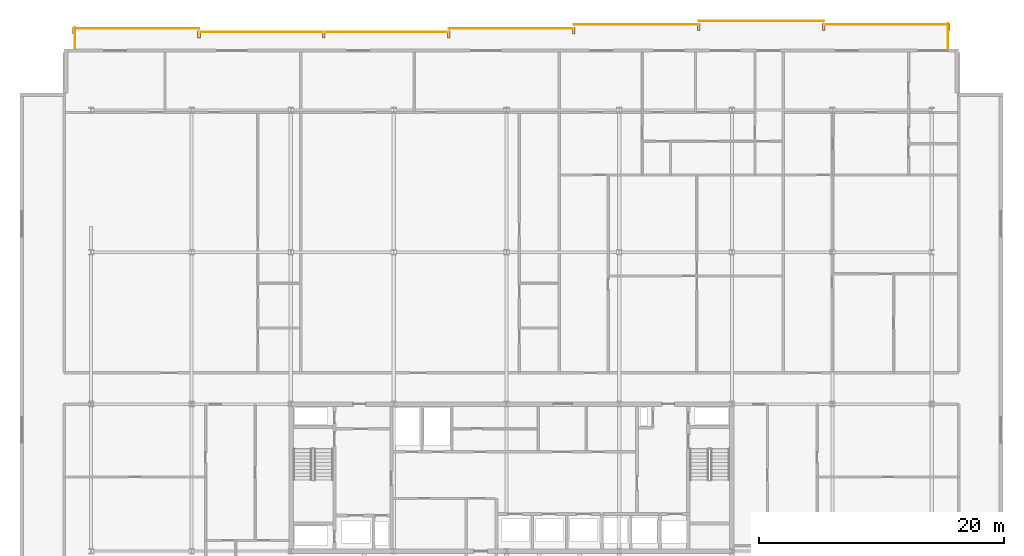
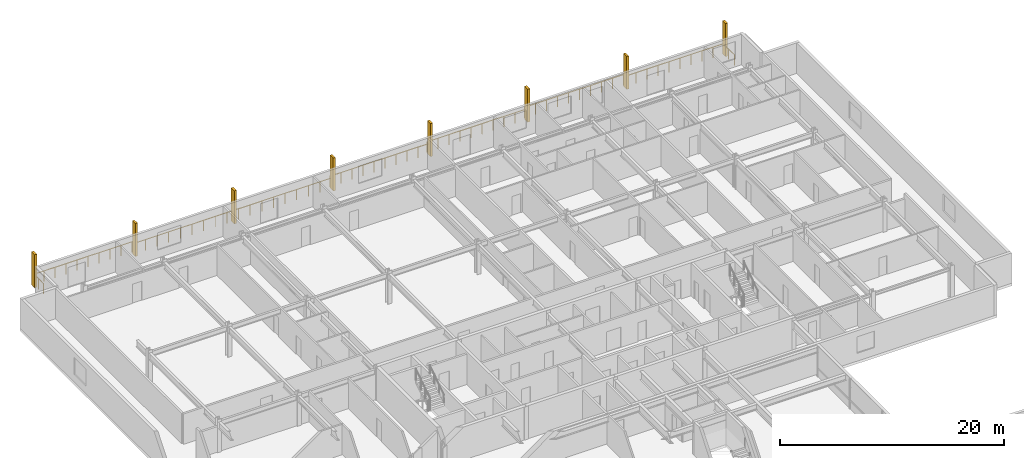
# One storey, part 36 of 36: 8 railings, 8 shading devices.
"""IFC4 building model written with IfcOpenShell, lengths in metres."""

import ifcopenshell
import ifcopenshell.guid

model = None  # the IFC model being written
_history = None  # IfcOwnerHistory: only IFC2X3 demands one
_inside = {}  # id of a spatial element -> (the spatial element, [elements in it])
_under = {}  # id of a project, library or spatial element -> (it, [spatial elements below it])
_declared = {}  # id of a project -> (the project, [libraries it declares])
_typed = {}  # id of a type object -> (the type object, [elements of that type])
_made_of = {}  # id of a material, layer set ... -> (it, [elements and type objects made of it])


def new_model(schema):
    """Start an empty IFC model of exactly this schema.

    Asked for "IFC4X3", IfcOpenShell would pick the latest addendum, in which some entities
    have other attributes; the version numbers below select the first issue.
    IFC2X3 requires an IfcOwnerHistory on every rooted entity: one is made here for all.
    """
    global model, _history
    if schema == "IFC4X3":
        model = ifcopenshell.file(schema_version=(4, 3, 0, 0))
    else:
        model = ifcopenshell.file(schema=schema)
    _inside.clear()
    _under.clear()
    _declared.clear()
    _typed.clear()
    _made_of.clear()
    _history = None
    if model.schema == "IFC2X3":
        org = make("IfcOrganization", Name="unknown")
        user = make(
            "IfcPersonAndOrganization",
            ThePerson=make("IfcPerson", FamilyName="unknown"),
            TheOrganization=org,
        )
        app = make(
            "IfcApplication",
            ApplicationDeveloper=org,
            Version="unknown",
            ApplicationFullName="unknown",
            ApplicationIdentifier="unknown",
        )
        _history = make(
            "IfcOwnerHistory",
            OwningUser=user,
            OwningApplication=app,
            ChangeAction="ADDED",
            CreationDate=0,
        )
    return model


def make(cls, **values):
    """One entity of the class cls with the attributes given. An attribute that is None is left unset."""
    return model.create_entity(
        cls, **{name: value for name, value in values.items() if value is not None}
    )


def rooted(cls, **values):
    """An entity with a GlobalId (a new one), such as an element, a storey or a relation."""
    return make(cls, GlobalId=ifcopenshell.guid.new(), OwnerHistory=_history, **values)


def si_unit(unit_type, name, prefix=None):
    """IfcSIUnit, for example si_unit("LENGTHUNIT", "METRE", prefix="MILLI")."""
    return make("IfcSIUnit", UnitType=unit_type, Prefix=prefix, Name=name)


def assignment(units):
    """IfcUnitAssignment: the units of a project."""
    return None if units is None else make("IfcUnitAssignment", Units=units)


def point(xyz):
    """IfcCartesianPoint."""
    return None if xyz is None else make("IfcCartesianPoint", Coordinates=xyz)


def direction(xyz):
    """IfcDirection."""
    return None if xyz is None else make("IfcDirection", DirectionRatios=xyz)


def frame(location, z_axis=None, x_axis=None):
    """IfcAxis2Placement3D, a coordinate frame: its origin and axes. An axis left out is left unset."""
    return make(
        "IfcAxis2Placement3D",
        Location=point(location),
        Axis=direction(z_axis),
        RefDirection=direction(x_axis),
    )


def frame_2d(location, x_axis=None):
    """IfcAxis2Placement2D, a coordinate frame in the plane: its origin and x axis."""
    return make(
        "IfcAxis2Placement2D", Location=point(location), RefDirection=direction(x_axis)
    )


def origin():
    """The frame at (0, 0, 0) with its axes left unset."""
    return frame((0.0, 0.0, 0.0))


def origin_2d():
    """The frame at (0, 0) in the plane with its x axis left unset."""
    return frame_2d((0.0, 0.0))


def place(relative_to, where):
    """IfcLocalPlacement: puts the frame where relative to a parent placement (None: the world)."""
    return make(
        "IfcLocalPlacement", PlacementRelTo=relative_to, RelativePlacement=where
    )


def context(
    kind, dimensions, precision=None, world=None, true_north=None, identifier=None
):
    """IfcGeometricRepresentationContext, for example the 3D "Model" context."""
    return make(
        "IfcGeometricRepresentationContext",
        ContextIdentifier=identifier,
        ContextType=kind,
        CoordinateSpaceDimension=dimensions,
        Precision=precision,
        WorldCoordinateSystem=world,
        TrueNorth=true_north,
    )


def subcontext(parent, identifier, kind, view, scale=None):
    """IfcGeometricRepresentationSubContext, for example "Body" below "Model"."""
    return make(
        "IfcGeometricRepresentationSubContext",
        ContextIdentifier=identifier,
        ContextType=kind,
        ParentContext=parent,
        TargetScale=scale,
        TargetView=view,
    )


def project(units=None, contexts=None):
    """IfcProject with its units and contexts."""
    return rooted(
        "IfcProject",
        Name="project",
        RepresentationContexts=contexts,
        UnitsInContext=assignment(units),
    )


def spatial(cls, under=None, at=None, **own):
    """A site, building, storey or space (cls), placed at a placement, below another one or the project."""
    s = rooted(cls, ObjectPlacement=at, **own)
    if under is not None:
        _under.setdefault(under.id(), (under, []))[1].append(s)
    return s


def profile(cls, at=None, kind="AREA", **sizes):
    """A parametric profile (cls). Its sizes go by their IFC names, for example OverallWidth=200.0."""
    return make(cls, ProfileType=kind, Position=at, **sizes)


def rectangle(**sizes):
    """IfcRectangleProfileDef."""
    return profile("IfcRectangleProfileDef", **sizes)


def circle(**sizes):
    """IfcCircleProfileDef."""
    return profile("IfcCircleProfileDef", **sizes)


def extrude(swept, where, along, depth):
    """IfcExtrudedAreaSolid: the profile swept, set in the frame where, extruded along a direction by depth."""
    return make(
        "IfcExtrudedAreaSolid",
        SweptArea=swept,
        Position=where,
        ExtrudedDirection=direction(along),
        Depth=depth,
    )


def shape(context_of_items, identifier, shape_type, items):
    """IfcShapeRepresentation: the items that make up one representation, for example the "Body"."""
    return make(
        "IfcShapeRepresentation",
        ContextOfItems=context_of_items,
        RepresentationIdentifier=identifier,
        RepresentationType=shape_type,
        Items=items,
    )


def material(Name=None, Category=None):
    """IfcMaterial."""
    return make("IfcMaterial", Name=Name, Category=Category)


def made_of(thing, what):
    """Note that an element or type object is made of a material, layer set ...; save() writes the relation."""
    if what is not None:
        _made_of.setdefault(what.id(), (what, []))[1].append(thing)
    return thing


def type_object(cls, material=None, **own):
    """A type object (cls), such as IfcWallType, which elements share."""
    return made_of(rooted(cls, **own), material)


def element(
    cls,
    number,
    at=None,
    inside=None,
    cuts=None,
    type_object=None,
    material=None,
    context=None,
    identifier="Body",
    shape_type=None,
    held_by="IfcProductDefinitionShape",
    body=None,
    shapes=None,
    **own,
):
    """One element of the class cls, such as IfcWall. Its Tag is "e" and its number.

    at: its placement. inside: the storey or other place that contains it. cuts: it is an
    opening in that element (IfcRelVoidsElement). A single representation is given by context,
    identifier, shape_type and body (its items); several are given by shapes. held_by: the class
    of the entity that holds the representations. save() writes the other relations.
    """
    e = rooted(cls, Tag="e%d" % number, ObjectPlacement=at, **own)
    if body is not None:
        shapes = [shape(context, identifier, shape_type, body)]
    if shapes is not None:
        e.Representation = make(held_by, Representations=shapes)
    if inside is not None:
        _inside.setdefault(inside.id(), (inside, []))[1].append(e)
    if cuts is not None:
        rooted(
            "IfcRelVoidsElement", RelatingBuildingElement=cuts, RelatedOpeningElement=e
        )
    if type_object is not None:
        _typed.setdefault(type_object.id(), (type_object, []))[1].append(e)
    return made_of(e, material)


def aggregate(whole, parts):
    """IfcRelAggregates: a whole, such as a stair, and the parts it consists of."""
    return rooted("IfcRelAggregates", RelatingObject=whole, RelatedObjects=parts)


def save(model, path):
    """Write the relations noted so far, then the file.

    IfcRelAggregates (storeys below a building ...), IfcRelContainedInSpatialStructure (elements
    in a storey), IfcRelDefinesByType, IfcRelAssociatesMaterial and IfcRelDeclares: one each for
    every whole, place, type object, material and project.
    """
    for whole, parts in _under.values():
        aggregate(whole, parts)
    for where, things in _inside.values():
        rooted(
            "IfcRelContainedInSpatialStructure",
            RelatedElements=things,
            RelatingStructure=where,
        )
    for kind, things in _typed.values():
        rooted("IfcRelDefinesByType", RelatedObjects=things, RelatingType=kind)
    for what, things in _made_of.values():
        rooted("IfcRelAssociatesMaterial", RelatedObjects=things, RelatingMaterial=what)
    for by, libraries in _declared.values():
        rooted("IfcRelDeclares", RelatingContext=by, RelatedDefinitions=libraries)
    model.write(path)


model = new_model("IFC4")

# Units and contexts
model_context = context("Model", 3, precision=1e-05, world=origin(), true_north=direction((0.0, 1.0)))
body_context = subcontext(model_context, "Body", "Model", "MODEL_VIEW")
ifc_project = project(units=[si_unit("LENGTHUNIT", "METRE"), si_unit("AREAUNIT", "SQUARE_METRE"), si_unit("VOLUMEUNIT", "CUBIC_METRE"), si_unit("PLANEANGLEUNIT", "RADIAN"), si_unit("MASSUNIT", "GRAM", prefix="KILO")], contexts=[model_context])

# Site, building, storey
site_placement = place(None, origin())
site = spatial("IfcSite", under=ifc_project, at=site_placement, CompositionType="ELEMENT")
building_placement = place(site_placement, origin())
building = spatial("IfcBuilding", under=site, at=building_placement, Name="Korimba Cascade Residences", CompositionType="ELEMENT")
storey_placement = place(building_placement, frame((0.0, 0.0, 142.89990234375)))
storey = spatial("IfcBuildingStorey", under=building, at=storey_placement, Name="L41", CompositionType="ELEMENT", Elevation=142.89990234375)

# Railings
ifc_material_1 = material(Name="Laminated Glass and Bronze Balustrade", Category="glass")
railing_type = type_object("IfcRailingType", Name="RLG-LOG-1150", PredefinedType="BALUSTRADE", material=ifc_material_1)
railing_1_placement = place(storey_placement, frame((129.719970703125, 96.199951171875, 0.0)))
element("IfcRailing", 1, at=railing_1_placement, inside=storey, type_object=railing_type, Name="L41 Perimeter Guardrail RLG-L41-T1-LOG-01", PredefinedType="BALUSTRADE", context=body_context, shape_type="SweptSolid", body=[
    extrude(circle(Radius=0.02392578125, at=origin_2d()), frame((0.0, 0.0, 1.1259765625), z_axis=(0.0, 1.0, 0.0), x_axis=(-1.0, 0.0, 0.0)), (0.0, 0.0, 1.0), 2.050048828125),
    extrude(circle(Radius=0.02099609375, at=origin_2d()), origin(), (0.0, 0.0, 1.0), 1.101806640625),
    extrude(circle(Radius=0.02099609375, at=origin_2d()), frame((0.0, 1.02490234375, 0.0)), (0.0, 0.0, 1.0), 1.101806640625),
    extrude(circle(Radius=0.02099609375, at=origin_2d()), frame((0.0, 2.050048828125, 0.0)), (0.0, 0.0, 1.0), 1.101806640625),
])
railing_2_placement = place(storey_placement, frame((129.800048828125, 98.169921875, 0.0)))
element("IfcRailing", 2, at=railing_2_placement, inside=storey, type_object=railing_type, Name="L41 Perimeter Guardrail RLG-L41-T1-LOG-02", PredefinedType="BALUSTRADE", context=body_context, shape_type="SweptSolid", body=[
    extrude(circle(Radius=0.02392578125, at=origin_2d()), frame((0.0, 0.0, 1.1259765625), z_axis=(-1.0, 0.0, 0.0), x_axis=(0.0, -1.0, 0.0)), (0.0, 0.0, 1.0), 10.199951171875),
    extrude(circle(Radius=0.02099609375, at=origin_2d()), origin(), (0.0, 0.0, 1.0), 1.101806640625),
    extrude(circle(Radius=0.02099609375, at=origin_2d()), frame((-1.13330078125, 0.0, 0.0)), (0.0, 0.0, 1.0), 1.101806640625),
    extrude(circle(Radius=0.02099609375, at=origin_2d()), frame((-2.2666015625, 0.0, 0.0)), (0.0, 0.0, 1.0), 1.101806640625),
    extrude(circle(Radius=0.02099609375, at=origin_2d()), frame((-3.39990234375, 0.0, 0.0)), (0.0, 0.0, 1.0), 1.101806640625),
    extrude(circle(Radius=0.02099609375, at=origin_2d()), frame((-4.533203125, 0.0, 0.0)), (0.0, 0.0, 1.0), 1.101806640625),
    extrude(circle(Radius=0.02099609375, at=origin_2d()), frame((-5.666748046875, 0.0, 0.0)), (0.0, 0.0, 1.0), 1.101806640625),
    extrude(circle(Radius=0.02099609375, at=origin_2d()), frame((-6.800048828125, 0.0, 0.0)), (0.0, 0.0, 1.0), 1.101806640625),
    extrude(circle(Radius=0.02099609375, at=origin_2d()), frame((-7.933349609375, 0.0, 0.0)), (0.0, 0.0, 1.0), 1.101806640625),
    extrude(circle(Radius=0.02099609375, at=origin_2d()), frame((-9.066650390625, 0.0, 0.0)), (0.0, 0.0, 1.0), 1.101806640625),
    extrude(circle(Radius=0.02099609375, at=origin_2d()), frame((-10.199951171875, 0.0, 0.0)), (0.0, 0.0, 1.0), 1.101806640625),
])
railing_3_placement = place(storey_placement, frame((119.60009765625, 98.469970703125, 0.0)))
element("IfcRailing", 3, at=railing_3_placement, inside=storey, type_object=railing_type, Name="L41 Perimeter Guardrail RLG-L41-T1-LOG-03", PredefinedType="BALUSTRADE", context=body_context, shape_type="SweptSolid", body=[
    extrude(circle(Radius=0.02392578125, at=origin_2d()), frame((0.0, 0.0, 1.1259765625), z_axis=(-1.0, 0.0, 0.0), x_axis=(0.0, -1.0, 0.0)), (0.0, 0.0, 1.0), 10.2001953125),
    extrude(circle(Radius=0.02099609375, at=origin_2d()), origin(), (0.0, 0.0, 1.0), 1.101806640625),
    extrude(circle(Radius=0.02099609375, at=origin_2d()), frame((-1.13330078125, 0.0, 0.0)), (0.0, 0.0, 1.0), 1.101806640625),
    extrude(circle(Radius=0.02099609375, at=origin_2d()), frame((-2.2666015625, 0.0, 0.0)), (0.0, 0.0, 1.0), 1.101806640625),
    extrude(circle(Radius=0.02099609375, at=origin_2d()), frame((-3.400146484375, 0.0, 0.0)), (0.0, 0.0, 1.0), 1.101806640625),
    extrude(circle(Radius=0.02099609375, at=origin_2d()), frame((-4.533447265625, 0.0, 0.0)), (0.0, 0.0, 1.0), 1.101806640625),
    extrude(circle(Radius=0.02099609375, at=origin_2d()), frame((-5.666748046875, 0.0, 0.0)), (0.0, 0.0, 1.0), 1.101806640625),
    extrude(circle(Radius=0.02099609375, at=origin_2d()), frame((-6.800048828125, 0.0, 0.0)), (0.0, 0.0, 1.0), 1.101806640625),
    extrude(circle(Radius=0.02099609375, at=origin_2d()), frame((-7.93359375, 0.0, 0.0)), (0.0, 0.0, 1.0), 1.101806640625),
    extrude(circle(Radius=0.02099609375, at=origin_2d()), frame((-9.06689453125, 0.0, 0.0)), (0.0, 0.0, 1.0), 1.101806640625),
    extrude(circle(Radius=0.02099609375, at=origin_2d()), frame((-10.2001953125, 0.0, 0.0)), (0.0, 0.0, 1.0), 1.101806640625),
])
for number, where, name in (
    (4, (109.39990234375, 98.169921875, 0.0), "L41 Perimeter Guardrail RLG-L41-T1-LOG-04"),
    (5, (99.199951171875, 97.8701171875, 0.0), "L41 Perimeter Guardrail RLG-L41-T1-LOG-05"),
):
    element("IfcRailing", number, at=place(storey_placement, frame(where)), inside=storey, type_object=railing_type, Name=name, PredefinedType="BALUSTRADE", context=body_context, shape_type="SweptSolid", body=[
        extrude(circle(Radius=0.02392578125, at=origin_2d()), frame((0.0, 0.0, 1.1259765625), z_axis=(-1.0, 0.0, 0.0), x_axis=(0.0, -1.0, 0.0)), (0.0, 0.0, 1.0), 10.199951171875),
        extrude(circle(Radius=0.02099609375, at=origin_2d()), origin(), (0.0, 0.0, 1.0), 1.101806640625),
        extrude(circle(Radius=0.02099609375, at=origin_2d()), frame((-1.13330078125, 0.0, 0.0)), (0.0, 0.0, 1.0), 1.101806640625),
        extrude(circle(Radius=0.02099609375, at=origin_2d()), frame((-2.2666015625, 0.0, 0.0)), (0.0, 0.0, 1.0), 1.101806640625),
        extrude(circle(Radius=0.02099609375, at=origin_2d()), frame((-3.39990234375, 0.0, 0.0)), (0.0, 0.0, 1.0), 1.101806640625),
        extrude(circle(Radius=0.02099609375, at=origin_2d()), frame((-4.533203125, 0.0, 0.0)), (0.0, 0.0, 1.0), 1.101806640625),
        extrude(circle(Radius=0.02099609375, at=origin_2d()), frame((-5.666748046875, 0.0, 0.0)), (0.0, 0.0, 1.0), 1.101806640625),
        extrude(circle(Radius=0.02099609375, at=origin_2d()), frame((-6.800048828125, 0.0, 0.0)), (0.0, 0.0, 1.0), 1.101806640625),
        extrude(circle(Radius=0.02099609375, at=origin_2d()), frame((-7.933349609375, 0.0, 0.0)), (0.0, 0.0, 1.0), 1.101806640625),
        extrude(circle(Radius=0.02099609375, at=origin_2d()), frame((-9.066650390625, 0.0, 0.0)), (0.0, 0.0, 1.0), 1.101806640625),
        extrude(circle(Radius=0.02099609375, at=origin_2d()), frame((-10.199951171875, 0.0, 0.0)), (0.0, 0.0, 1.0), 1.101806640625),
    ])
railing_4_placement = place(storey_placement, frame((89.0, 97.570068359375, 0.0)))
element("IfcRailing", 6, at=railing_4_placement, inside=storey, type_object=railing_type, Name="L41 Perimeter Guardrail RLG-L41-T1-LOG-06", PredefinedType="BALUSTRADE", context=body_context, shape_type="SweptSolid", body=[
    extrude(circle(Radius=0.02392578125, at=origin_2d()), frame((0.0, 0.0, 1.1259765625), z_axis=(-1.0, 0.0, 0.0), x_axis=(0.0, -1.0, 0.0)), (0.0, 0.0, 1.0), 20.39990234375),
    extrude(circle(Radius=0.02099609375, at=origin_2d()), origin(), (0.0, 0.0, 1.0), 1.101806640625),
    extrude(circle(Radius=0.02099609375, at=origin_2d()), frame((-1.199951171875, 0.0, 0.0)), (0.0, 0.0, 1.0), 1.101806640625),
    extrude(circle(Radius=0.02099609375, at=origin_2d()), frame((-2.39990234375, 0.0, 0.0)), (0.0, 0.0, 1.0), 1.101806640625),
    extrude(circle(Radius=0.02099609375, at=origin_2d()), frame((-3.60009765625, 0.0, 0.0)), (0.0, 0.0, 1.0), 1.101806640625),
    extrude(circle(Radius=0.02099609375, at=origin_2d()), frame((-4.800048828125, 0.0, 0.0)), (0.0, 0.0, 1.0), 1.101806640625),
    extrude(circle(Radius=0.02099609375, at=origin_2d()), frame((-6.0, 0.0, 0.0)), (0.0, 0.0, 1.0), 1.101806640625),
    extrude(circle(Radius=0.02099609375, at=origin_2d()), frame((-7.199951171875, 0.0, 0.0)), (0.0, 0.0, 1.0), 1.101806640625),
    extrude(circle(Radius=0.02099609375, at=origin_2d()), frame((-8.39990234375, 0.0, 0.0)), (0.0, 0.0, 1.0), 1.101806640625),
    extrude(circle(Radius=0.02099609375, at=origin_2d()), frame((-9.599853515625, 0.0, 0.0)), (0.0, 0.0, 1.0), 1.101806640625),
    extrude(circle(Radius=0.02099609375, at=origin_2d()), frame((-10.800048828125, 0.0, 0.0)), (0.0, 0.0, 1.0), 1.101806640625),
    extrude(circle(Radius=0.02099609375, at=origin_2d()), frame((-12.0, 0.0, 0.0)), (0.0, 0.0, 1.0), 1.101806640625),
    extrude(circle(Radius=0.02099609375, at=origin_2d()), frame((-13.199951171875, 0.0, 0.0)), (0.0, 0.0, 1.0), 1.101806640625),
    extrude(circle(Radius=0.02099609375, at=origin_2d()), frame((-14.39990234375, 0.0, 0.0)), (0.0, 0.0, 1.0), 1.101806640625),
    extrude(circle(Radius=0.02099609375, at=origin_2d()), frame((-15.599853515625, 0.0, 0.0)), (0.0, 0.0, 1.0), 1.101806640625),
    extrude(circle(Radius=0.02099609375, at=origin_2d()), frame((-16.7998046875, 0.0, 0.0)), (0.0, 0.0, 1.0), 1.101806640625),
    extrude(circle(Radius=0.02099609375, at=origin_2d()), frame((-18.0, 0.0, 0.0)), (0.0, 0.0, 1.0), 1.101806640625),
    extrude(circle(Radius=0.02099609375, at=origin_2d()), frame((-19.199951171875, 0.0, 0.0)), (0.0, 0.0, 1.0), 1.101806640625),
    extrude(circle(Radius=0.02099609375, at=origin_2d()), frame((-20.39990234375, 0.0, 0.0)), (0.0, 0.0, 1.0), 1.101806640625),
])
railing_5_placement = place(storey_placement, frame((68.60009765625, 97.8701171875, 0.0)))
element("IfcRailing", 7, at=railing_5_placement, inside=storey, type_object=railing_type, Name="L41 Perimeter Guardrail RLG-L41-T1-LOG-07", PredefinedType="BALUSTRADE", context=body_context, shape_type="SweptSolid", body=[
    extrude(circle(Radius=0.02392578125, at=origin_2d()), frame((0.0, 0.0, 1.1259765625), z_axis=(-1.0, 0.0, 0.0), x_axis=(0.0, -1.0, 0.0)), (0.0, 0.0, 1.0), 10.2001953125),
    extrude(circle(Radius=0.02099609375, at=origin_2d()), origin(), (0.0, 0.0, 1.0), 1.101806640625),
    extrude(circle(Radius=0.02099609375, at=origin_2d()), frame((-1.13330078125, 0.0, 0.0)), (0.0, 0.0, 1.0), 1.101806640625),
    extrude(circle(Radius=0.02099609375, at=origin_2d()), frame((-2.2666015625, 0.0, 0.0)), (0.0, 0.0, 1.0), 1.101806640625),
    extrude(circle(Radius=0.02099609375, at=origin_2d()), frame((-3.400146484375, 0.0, 0.0)), (0.0, 0.0, 1.0), 1.101806640625),
    extrude(circle(Radius=0.02099609375, at=origin_2d()), frame((-4.533447265625, 0.0, 0.0)), (0.0, 0.0, 1.0), 1.101806640625),
    extrude(circle(Radius=0.02099609375, at=origin_2d()), frame((-5.666748046875, 0.0, 0.0)), (0.0, 0.0, 1.0), 1.101806640625),
    extrude(circle(Radius=0.02099609375, at=origin_2d()), frame((-6.800048828125, 0.0, 0.0)), (0.0, 0.0, 1.0), 1.101806640625),
    extrude(circle(Radius=0.02099609375, at=origin_2d()), frame((-7.93359375, 0.0, 0.0)), (0.0, 0.0, 1.0), 1.101806640625),
    extrude(circle(Radius=0.02099609375, at=origin_2d()), frame((-9.06689453125, 0.0, 0.0)), (0.0, 0.0, 1.0), 1.101806640625),
    extrude(circle(Radius=0.02099609375, at=origin_2d()), frame((-10.2001953125, 0.0, 0.0)), (0.0, 0.0, 1.0), 1.101806640625),
])
railing_6_placement = place(storey_placement, frame((58.47998046875, 97.949951171875, 0.0)))
element("IfcRailing", 8, at=railing_6_placement, inside=storey, type_object=railing_type, Name="L41 Perimeter Guardrail RLG-L41-T1-LOG-08", PredefinedType="BALUSTRADE", context=body_context, shape_type="SweptSolid", body=[
    extrude(circle(Radius=0.02392578125, at=origin_2d()), frame((0.0, 0.0, 1.1259765625), z_axis=(0.0, -1.0, 0.0), x_axis=(1.0, 0.0, 0.0)), (0.0, 0.0, 1.0), 1.75),
    extrude(circle(Radius=0.02099609375, at=origin_2d()), origin(), (0.0, 0.0, 1.0), 1.101806640625),
    extrude(circle(Radius=0.02099609375, at=origin_2d()), frame((0.0, -0.875, 0.0)), (0.0, 0.0, 1.0), 1.101806640625),
    extrude(circle(Radius=0.02099609375, at=origin_2d()), frame((0.0, -1.75, 0.0)), (0.0, 0.0, 1.0), 1.101806640625),
])

# Shading devices
ifc_material_2 = material(Name="Honed Sandstone Precast Fin", Category="masonry")
shading_device_type = type_object("IfcShadingDeviceType", Name="SHD-FIN-550", PredefinedType="USERDEFINED", material=ifc_material_2)
for number, where, z_axis, x_axis, name in (
    (9, (58.39990234375, 97.675048828125, 0.0), (0.0, 0.0, 1.0), (1.0, 0.0, 0.0), "L41 T1 Warm-Stone Loggia Fin 1"),
    (10, (68.60009765625, 97.375, 0.0), (0.0, 0.0, 1.0), (1.0, 0.0, 0.0), "L41 T1 Warm-Stone Loggia Fin 2"),
    (11, (78.800048828125, 97.375, 0.0), (0.0, 0.0, 1.0), (1.0, 0.0, 0.0), "L41 T1 Warm-Stone Loggia Fin 3"),
    (12, (89.0, 97.375, 0.0), (0.0, 0.0, 1.0), (1.0, 0.0, 0.0), "L41 T1 Warm-Stone Loggia Fin 4"),
    (13, (99.199951171875, 97.675048828125, 0.0), (0.0, 0.0, 1.0), (1.0, 0.0, 0.0), "L41 T1 Warm-Stone Loggia Fin 5"),
    (14, (109.39990234375, 97.97509765625, 0.0), (0.0, 0.0, 1.0), (1.0, 0.0, 0.0), "L41 T1 Warm-Stone Loggia Fin 6"),
    (15, (119.60009765625, 97.97509765625, 0.0), (0.0, 0.0, 1.0), (1.0, 0.0, 0.0), "L41 T1 Warm-Stone Loggia Fin 7"),
    (16, (129.800048828125, 97.97509765625, 0.0), (0.0, 0.0, 1.0), (1.0, 0.0, 0.0), "L41 T1 Warm-Stone Loggia Fin 8"),
):
    element("IfcShadingDevice", number, at=place(storey_placement, frame(where, z_axis=z_axis, x_axis=x_axis)), inside=storey, type_object=shading_device_type, Name=name, ObjectType="FIN", PredefinedType="USERDEFINED", context=body_context, shape_type="SweptSolid", body=[
        extrude(rectangle(XDim=0.219970703125, YDim=0.550048828125, at=origin_2d()), origin(), (0.0, 0.0, 1.0), 3.60009765625),
    ])

save(model, "model.ifc")
